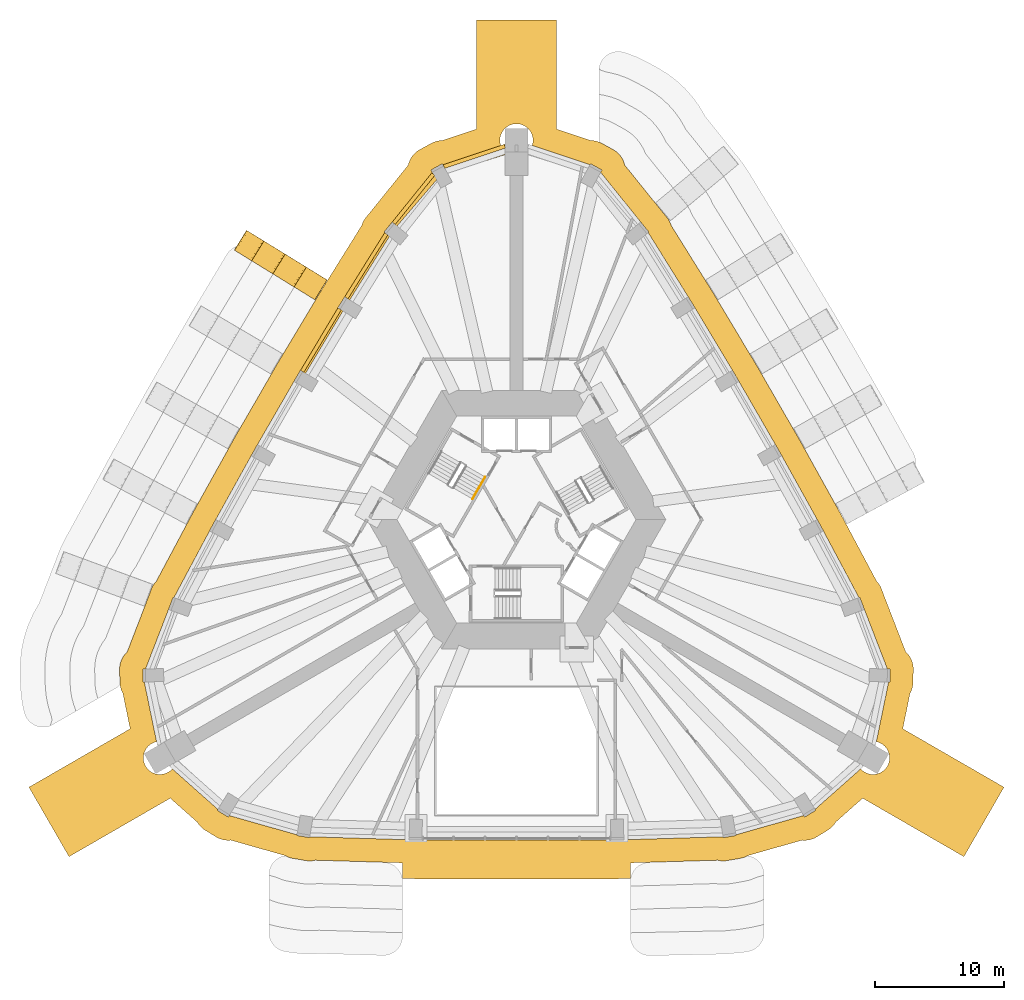
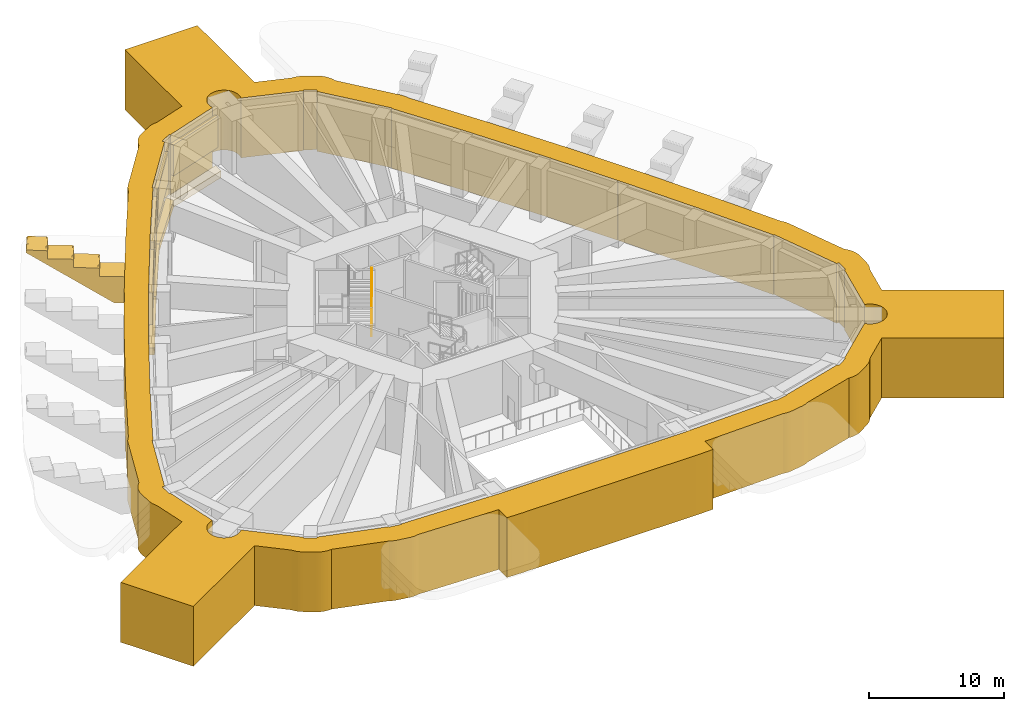
# One storey, part 14 of 16: 6 coverings, 4 shading devices, 2 railings.
"""IFC4 building model written with IfcOpenShell, lengths in metres."""

from ifc_helpers import new_model, si_unit, direction, frame, origin, origin_2d, place, context, subcontext, project, spatial, polyline, rectangle, circle, outline, extrude, material, layer, layer_set, type_object, element, save


model = new_model("IFC4")

# Units and contexts
model_context = context("Model", 3, precision=1e-05, world=origin(), true_north=direction((0.0, 1.0)))
body_context = subcontext(model_context, "Body", "Model", "MODEL_VIEW")
ifc_project = project(units=[si_unit("LENGTHUNIT", "METRE"), si_unit("AREAUNIT", "SQUARE_METRE"), si_unit("VOLUMEUNIT", "CUBIC_METRE"), si_unit("PLANEANGLEUNIT", "RADIAN"), si_unit("MASSUNIT", "GRAM", prefix="KILO")], contexts=[model_context])

# Site, building, storey
site_placement = place(None, origin())
site = spatial("IfcSite", under=ifc_project, at=site_placement, CompositionType="ELEMENT")
building_placement = place(site_placement, origin())
building = spatial("IfcBuilding", under=site, at=building_placement, Name="Entoto Arch Interchange Tower", CompositionType="ELEMENT")
storey_placement = place(building_placement, frame((0.0, 0.0, 281.0)))
storey = spatial("IfcBuildingStorey", under=building, at=storey_placement, Name="L65", CompositionType="ELEMENT", Elevation=281.0)

# Shading devices
ifc_material_1 = material(Name="Aluminium, anodised", Category="aluminium")
ifc_layer = layer(ifc_material_1, 0.300048828125)
ifc_layer_set = layer_set([ifc_layer], Name="Aluminium, anodised")
shading_device_type = type_object("IfcShadingDeviceType", Name="PLANT LOUVRE ALUMINIUM", PredefinedType="JALOUSIE", material=ifc_layer_set)
shading_device_1_placement = place(storey_placement, frame((-3.2548828125, 30.58203125, 1.2001953125), z_axis=(0.0, 0.0, 1.0), x_axis=(-0.948721643126, -0.316112707534, 0.0)))
element("IfcShadingDevice", 1, at=shading_device_1_placement, inside=storey, type_object=shading_device_type, Name="Plant louvre N-03 L65", PredefinedType="JALOUSIE", context=body_context, shape_type="SweptSolid", body=[
    extrude(rectangle(XDim=4.967041015625, YDim=0.300048828125, at=origin_2d()), origin(), (0.0, 0.0, 1.0), 2.800048828125),
])
shading_device_2_placement = place(storey_placement, frame((-7.95703125, 27.31103515625, 1.2001953125), z_axis=(0.0, 0.0, 1.0), x_axis=(-0.627664187448, -0.778484211655, 0.0)))
element("IfcShadingDevice", 2, at=shading_device_2_placement, inside=storey, type_object=shading_device_type, Name="Plant louvre N-04 L65", PredefinedType="JALOUSIE", context=body_context, shape_type="SweptSolid", body=[
    extrude(rectangle(XDim=4.8740234375, YDim=0.300048828125, at=origin_2d()), origin(), (0.0, 0.0, 1.0), 2.800048828125),
])
shading_device_3_placement = place(storey_placement, frame((-11.60693359375, 22.1220703125, 1.2001953125), z_axis=(0.0, 0.0, 1.0), x_axis=(-0.528719835335, -0.848796404165, 0.0)))
element("IfcShadingDevice", 3, at=shading_device_3_placement, inside=storey, type_object=shading_device_type, Name="Plant louvre NW-01 L65", PredefinedType="JALOUSIE", context=body_context, shape_type="SweptSolid", body=[
    extrude(rectangle(XDim=5.8330078125, YDim=0.300048828125, at=origin_2d()), origin(), (0.0, 0.0, 1.0), 2.800048828125),
])
shading_device_4_placement = place(storey_placement, frame((-15.116943359375, 16.3798828125, 1.2001953125), z_axis=(0.0, 0.0, 1.0), x_axis=(-0.514259922537, -0.857634381349, 0.0)))
element("IfcShadingDevice", 4, at=shading_device_4_placement, inside=storey, type_object=shading_device_type, Name="Plant louvre NW-02 L65", PredefinedType="JALOUSIE", context=body_context, shape_type="SweptSolid", body=[
    extrude(rectangle(XDim=5.62890625, YDim=0.300048828125, at=origin_2d()), origin(), (0.0, 0.0, 1.0), 2.800048828125),
])

# Coverings
ifc_material_2 = material(Name="Board-marked precast concrete C50/60", Category="concrete")
covering_type_1 = type_object("IfcCoveringType", Name="PRECAST FRAME COURSE", PredefinedType="CLADDING", material=ifc_material_2)
covering_1_placement = place(storey_placement, frame((-15.324951171875, 21.4619140625, -0.573974609375), z_axis=(0.525588342356, 0.850733298727, 0.003122309325), x_axis=(0.768504041486, -0.473205970996, -0.430671159046)))
element("IfcCovering", 5, at=covering_1_placement, inside=storey, type_object=covering_type_1, Name="Fold rib NW02 L65", PredefinedType="CLADDING", context=body_context, shape_type="SweptSolid", body=[
    extrude(outline(polyline([(0.0, 0.0), (0.04421633927679272, 0.0), (0.08664393673572521, -0.012401496307995207), (0.6323388862215943, -0.273886361269992), (0.6667714174383038, -0.30141099392063764), (0.6908346886655912, -0.338593322435693), (0.7035755055984723, -0.3811891178920481), (0.7038722160724928, -0.4246128261977399), (0.6905471593677632, -0.4669489818637927), (-0.2136245598848886, -2.3621779202753768), (-0.23873260492306403, -2.399161649320606), (-0.2608792461512971, -2.4183499416074317), (-0.2850450068903443, -2.4335986620412204), (-0.3274207535146515, -2.4463810852131247), (-0.3716370927914442, -2.446381085213125), (-0.41357201869113047, -2.433131478424592), (-1.9888092529242793, -1.6814359354732125), (-2.2539561869863016, -2.2363338244239688), (-2.271794791588252, -2.2600129677636125), (-2.3054449189797745, -2.2869660982616757), (-2.346867471299098, -2.3039927503566906), (-2.3908030201288355, -2.308454261029971), (-2.419822628164935, -2.3035320755703594), (-2.447269168782819, -2.2936822890664206), (-4.048518363502136, -1.5295700203336853), (-4.3144157897921716, -2.084111553034065), (-4.332254394394122, -2.1077906963737085), (-4.3659045217856445, -2.1347438268717713), (-4.406576581876954, -2.152126835217163), (-4.451262622934705, -2.1562319896400677), (-4.480282230970805, -2.1513098041804555), (-4.507165902417679, -2.141727284864299), (-6.109165589365009, -1.3772586598811873), (-6.375063015655045, -1.9318001925815667), (-6.3927139971999924, -1.9555684249838046), (-6.426551747648518, -1.9824324664192736), (-6.467036184682824, -1.999904563827259), (-6.510971733512561, -2.004366074500541), (-6.540178964605666, -1.9993547999783337), (-6.56762550522355, -1.9895050134743952), (-7.727051067610214, -1.4362323182053558), (-7.752436259611615, -1.420871031341023), (-7.782870508541981, -1.3895782977403957), (-7.803814092521863, -1.3509083600145733), (-7.811178138428663, -1.322777047141821), (-7.812576704916174, -1.2934362740587129), (-7.808236752116553, -1.2643968783089292), (-7.79801759191616, -1.2360028696225625), (-7.7828969695652805, -1.2112954748994627), (-7.763515842605009, -1.189433788951301), (-7.7404720269205285, -1.1714862600320974), (-7.713656280715033, -1.1588550848104462), (-7.684829598647157, -1.1525919667161535), (0.0, 0.0)])), origin(), (0.0, 0.0, -1.0), 1.800048828125),
])
covering_2_placement = place(storey_placement, frame((0.0, 0.0, -0.60009765625)))
element("IfcCovering", 6, at=covering_2_placement, inside=storey, type_object=covering_type_1, Name="Zone frame L65", PredefinedType="CLADDING", context=body_context, shape_type="SweptSolid", body=[
    extrude(outline(polyline([(24.678955078125, -20.875), (24.677978515625, -20.876953125), (24.5810546875, -21.02392578125), (24.470947265625, -21.162109375), (24.346923828125, -21.2880859375), (24.2109375, -21.40087890625), (24.06494140625, -21.5), (23.2119140625, -22.02197265625), (23.056884765625, -22.10595703125), (22.89404296875, -22.175048828125), (22.72509765625, -22.22802734375), (22.552978515625, -22.263916015625), (22.376953125, -22.282958984375), (22.199951171875, -22.283935546875), (22.076904296875, -22.27294921875), (17.863037109375, -23.468994140625), (17.77587890625, -23.51904296875), (17.614013671875, -23.589111328125), (17.446044921875, -23.64404296875), (17.27392578125, -23.681884765625), (16.2880859375, -23.84912109375), (16.112060546875, -23.8701171875), (15.93603515625, -23.8740234375), (15.760009765625, -23.860107421875), (15.5859375, -23.8291015625), (15.552978515625, -23.820068359375), (8.800048828125, -24.02490234375), (8.800048828125, -25.22509765625), (8.510009765625, -25.23388671875), (8.35498046875, -25.243896484375), (7.35498046875, -25.262939453125), (7.298095703125, -25.262939453125), (-7.0791015625, -25.25390625), (-7.35498046875, -25.262939453125), (-8.35498046875, -25.243896484375), (-8.510009765625, -25.23388671875), (-8.800048828125, -25.22509765625), (-8.800048828125, -24.02490234375), (-15.552978515625, -23.820068359375), (-15.5859375, -23.8291015625), (-15.760009765625, -23.860107421875), (-15.93603515625, -23.8740234375), (-16.112060546875, -23.8701171875), (-16.2880859375, -23.84912109375), (-17.27392578125, -23.681884765625), (-17.446044921875, -23.64404296875), (-17.614013671875, -23.589111328125), (-17.77587890625, -23.51904296875), (-17.863037109375, -23.468994140625), (-22.076904296875, -22.27294921875), (-22.199951171875, -22.283935546875), (-22.376953125, -22.282958984375), (-22.552978515625, -22.263916015625), (-22.72509765625, -22.22802734375), (-22.89404296875, -22.175048828125), (-23.056884765625, -22.10595703125), (-23.2119140625, -22.02197265625), (-24.06494140625, -21.5), (-24.2109375, -21.40087890625), (-24.346923828125, -21.2880859375), (-24.470947265625, -21.162109375), (-24.5810546875, -21.02392578125), (-24.677978515625, -20.876953125), (-24.678955078125, -20.875), (-26.759033203125, -19.029052734375), (-34.583984375, -23.547119140625), (-37.68408203125, -18.177001953125), (-29.85888671875, -13.659912109375), (-30.41796875, -10.93505859375), (-30.41796875, -10.93408203125), (-30.498046875, -10.77587890625), (-30.56201171875, -10.611083984375), (-30.60888671875, -10.44091796875), (-30.638916015625, -10.26708984375), (-30.652099609375, -10.091064453125), (-30.677001953125, -9.091064453125), (-30.673095703125, -8.9140625), (-30.65087890625, -8.739013671875), (-30.612060546875, -8.56689453125), (-30.556884765625, -8.39892578125), (-30.485107421875, -8.237060546875), (-30.39794921875, -8.083984375), (-30.297119140625, -7.93896484375), (-30.180908203125, -7.804931640625), (-30.087890625, -7.716064453125), (-28.39697265625, -3.3369140625), (-28.22802734375, -2.8798828125), (-28.158935546875, -2.717041015625), (-28.073974609375, -2.56201171875), (-27.97412109375, -2.4169921875), (-27.860107421875, -2.281005859375), (-27.840087890625, -2.260986328125), (-25.323974609375, 2.452880859375), (-25.306884765625, 2.489013671875), (-24.8330078125, 3.368896484375), (-24.820068359375, 3.39208984375), (-22.112060546875, 8.25390625), (-22.077880859375, 8.321044921875), (-21.5869140625, 9.19189453125), (-21.576904296875, 9.208984375), (-18.81103515625, 13.989990234375), (-18.75390625, 14.09912109375), (-18.24609375, 14.9599609375), (-18.239013671875, 14.970947265625), (-15.419921875, 19.6669921875), (-15.4189453125, 19.6669921875), (-15.333984375, 19.822021484375), (-14.80908203125, 20.672119140625), (-14.804931640625, 20.677978515625), (-11.9609375, 25.240966796875), (-11.9541015625, 25.26904296875), (-11.89306640625, 25.43505859375), (-11.81689453125, 25.593994140625), (-11.72509765625, 25.7451171875), (-11.618896484375, 25.885986328125), (-11.30810546875, 26.260986328125), (-8.361083984375, 29.9150390625), (-8.3310546875, 30.041015625), (-8.27197265625, 30.2080078125), (-8.197998046875, 30.367919921875), (-8.10888671875, 30.52001953125), (-8.00390625, 30.6630859375), (-7.886962890625, 30.794921875), (-7.757080078125, 30.9140625), (-7.615966796875, 31.02099609375), (-7.465087890625, 31.113037109375), (-6.5869140625, 31.591064453125), (-6.427978515625, 31.66796875), (-6.261962890625, 31.72802734375), (-6.091064453125, 31.77294921875), (-5.916015625, 31.800048828125), (-5.739990234375, 31.81005859375), (-5.739013671875, 31.81005859375), (-3.10009765625, 32.68896484375), (-3.10009765625, 41.1240234375), (3.10009765625, 41.1240234375), (3.10009765625, 32.68896484375), (5.739013671875, 31.81005859375), (5.739990234375, 31.81005859375), (5.916015625, 31.800048828125), (6.091064453125, 31.77294921875), (6.261962890625, 31.72802734375), (6.427978515625, 31.66796875), (6.5869140625, 31.591064453125), (7.465087890625, 31.113037109375), (7.615966796875, 31.02099609375), (7.757080078125, 30.9140625), (7.886962890625, 30.794921875), (8.00390625, 30.6630859375), (8.10888671875, 30.52001953125), (8.197998046875, 30.367919921875), (8.27197265625, 30.2080078125), (8.3310546875, 30.041015625), (8.361083984375, 29.9150390625), (11.30810546875, 26.260986328125), (11.618896484375, 25.885986328125), (11.72509765625, 25.7451171875), (11.81689453125, 25.593994140625), (11.89306640625, 25.43505859375), (11.9541015625, 25.26904296875), (11.9609375, 25.240966796875), (14.785888671875, 20.705078125), (14.80908203125, 20.672119140625), (15.333984375, 19.822021484375), (15.347900390625, 19.799072265625), (18.2041015625, 15.02294921875), (18.24609375, 14.9599609375), (18.75390625, 14.09912109375), (18.763916015625, 14.08203125), (21.52197265625, 9.294921875), (21.5869140625, 9.19189453125), (22.077880859375, 8.321044921875), (22.0849609375, 8.31005859375), (24.740966796875, 3.52099609375), (24.741943359375, 3.52099609375), (24.8330078125, 3.368896484375), (25.306884765625, 2.489013671875), (25.31005859375, 2.48291015625), (27.840087890625, -2.260986328125), (27.860107421875, -2.281005859375), (27.97412109375, -2.4169921875), (28.073974609375, -2.56201171875), (28.158935546875, -2.717041015625), (28.22802734375, -2.8798828125), (28.39697265625, -3.3369140625), (30.087890625, -7.716064453125), (30.180908203125, -7.804931640625), (30.297119140625, -7.93896484375), (30.39794921875, -8.083984375), (30.485107421875, -8.237060546875), (30.556884765625, -8.39892578125), (30.612060546875, -8.56689453125), (30.65087890625, -8.739013671875), (30.673095703125, -8.9140625), (30.677001953125, -9.091064453125), (30.652099609375, -10.091064453125), (30.638916015625, -10.26708984375), (30.60888671875, -10.44091796875), (30.56201171875, -10.611083984375), (30.498046875, -10.77587890625), (30.41796875, -10.93408203125), (30.41796875, -10.93505859375), (29.85888671875, -13.659912109375), (37.68408203125, -18.177001953125), (34.583984375, -23.547119140625), (26.759033203125, -19.029052734375), (24.678955078125, -20.875)]), holes=[polyline([(28.762939453125, -10.0439453125), (28.85302734375, -10.0458984375), (28.864990234375, -9.5458984375), (28.876953125, -9.0458984375), (28.68310546875, -9.041015625), (28.656005859375, -9.0048828125), (26.712890625, -3.972900390625), (26.5400390625, -3.50390625), (26.47509765625, -3.528076171875), (23.719970703125, 1.635009765625), (23.721923828125, 1.635986328125), (23.485107421875, 2.075927734375), (23.248046875, 2.51611328125), (23.241943359375, 2.512939453125), (20.508056640625, 7.43505859375), (20.510986328125, 7.43701171875), (20.264892578125, 7.8720703125), (20.01904296875, 8.306884765625), (20.014892578125, 8.304931640625), (17.199951171875, 13.180908203125), (17.2041015625, 13.18310546875), (16.949951171875, 13.614013671875), (16.696044921875, 14.044921875), (16.693115234375, 14.04296875), (13.797119140625, 18.8720703125), (13.802978515625, 18.8759765625), (13.5400390625, 19.301025390625), (13.277099609375, 19.72607421875), (13.27587890625, 19.72509765625), (10.181884765625, 24.693115234375), (10.23388671875, 24.736083984375), (9.9150390625, 25.12109375), (6.531005859375, 29.31689453125), (6.510986328125, 29.360107421875), (6.60400390625, 29.531982421875), (6.1650390625, 29.77099609375), (5.72607421875, 30.010009765625), (5.68310546875, 29.930908203125), (1.2109375, 31.4208984375), (1.222900390625, 31.452880859375), (1.2529296875, 31.574951171875), (1.27197265625, 31.698974609375), (1.278076171875, 31.823974609375), (1.27197265625, 31.948974609375), (1.2529296875, 32.072998046875), (1.222900390625, 32.195068359375), (1.180908203125, 32.31298828125), (1.126953125, 32.426025390625), (1.06201171875, 32.533935546875), (0.988037109375, 32.635009765625), (0.904052734375, 32.72802734375), (0.81103515625, 32.81201171875), (0.7099609375, 32.885986328125), (0.60205078125, 32.950927734375), (0.489013671875, 33.0048828125), (0.37109375, 33.047119140625), (0.2490234375, 33.076904296875), (0.125, 33.095947265625), (0.0, 33.10205078125), (-0.125, 33.095947265625), (-0.2490234375, 33.076904296875), (-0.37109375, 33.047119140625), (-0.489013671875, 33.0048828125), (-0.60205078125, 32.950927734375), (-0.7099609375, 32.885986328125), (-0.81103515625, 32.81201171875), (-0.904052734375, 32.72802734375), (-0.988037109375, 32.635009765625), (-1.06201171875, 32.533935546875), (-1.126953125, 32.426025390625), (-1.180908203125, 32.31298828125), (-1.222900390625, 32.195068359375), (-1.2529296875, 32.072998046875), (-1.27197265625, 31.948974609375), (-1.278076171875, 31.823974609375), (-1.27197265625, 31.698974609375), (-1.2529296875, 31.574951171875), (-1.222900390625, 31.452880859375), (-1.2109375, 31.4208984375), (-5.68310546875, 29.930908203125), (-5.72607421875, 30.010009765625), (-6.1650390625, 29.77099609375), (-6.60400390625, 29.531982421875), (-6.510986328125, 29.360107421875), (-6.531005859375, 29.31689453125), (-9.9150390625, 25.12109375), (-10.23388671875, 24.736083984375), (-10.181884765625, 24.693115234375), (-13.27587890625, 19.72509765625), (-13.277099609375, 19.72607421875), (-13.5400390625, 19.301025390625), (-13.802978515625, 18.8759765625), (-13.797119140625, 18.8720703125), (-16.693115234375, 14.04296875), (-16.696044921875, 14.044921875), (-16.949951171875, 13.614013671875), (-17.2041015625, 13.18310546875), (-17.199951171875, 13.180908203125), (-20.014892578125, 8.304931640625), (-20.01904296875, 8.306884765625), (-20.264892578125, 7.8720703125), (-20.510986328125, 7.43701171875), (-20.508056640625, 7.43505859375), (-23.241943359375, 2.512939453125), (-23.248046875, 2.51611328125), (-23.485107421875, 2.075927734375), (-23.721923828125, 1.635986328125), (-23.719970703125, 1.635009765625), (-26.47509765625, -3.528076171875), (-26.5400390625, -3.50390625), (-26.712890625, -3.972900390625), (-28.656005859375, -9.0048828125), (-28.68310546875, -9.041015625), (-28.876953125, -9.0458984375), (-28.864990234375, -9.5458984375), (-28.85302734375, -10.0458984375), (-28.762939453125, -10.0439453125), (-27.81689453125, -14.660888671875), (-27.930908203125, -14.68896484375), (-28.049072265625, -14.73095703125), (-28.162109375, -14.784912109375), (-28.27001953125, -14.85009765625), (-28.37109375, -14.924072265625), (-28.464111328125, -15.008056640625), (-28.548095703125, -15.10107421875), (-28.6220703125, -15.201904296875), (-28.68701171875, -15.31005859375), (-28.740966796875, -15.423095703125), (-28.782958984375, -15.541015625), (-28.81298828125, -15.6630859375), (-28.83203125, -15.787109375), (-28.837890625, -15.912109375), (-28.83203125, -16.037109375), (-28.81298828125, -16.160888671875), (-28.782958984375, -16.282958984375), (-28.740966796875, -16.40087890625), (-28.68701171875, -16.513916015625), (-28.6220703125, -16.6220703125), (-28.548095703125, -16.722900390625), (-28.464111328125, -16.81591796875), (-28.37109375, -16.89990234375), (-28.27001953125, -16.97412109375), (-28.162109375, -17.0390625), (-28.049072265625, -17.093017578125), (-27.930908203125, -17.135009765625), (-27.80908203125, -17.1650390625), (-27.68505859375, -17.18408203125), (-27.56005859375, -17.18994140625), (-27.43505859375, -17.18408203125), (-27.31103515625, -17.1650390625), (-27.18896484375, -17.135009765625), (-27.071044921875, -17.093017578125), (-26.9580078125, -17.0390625), (-26.85009765625, -16.97412109375), (-26.7490234375, -16.89990234375), (-26.656005859375, -16.81591796875), (-26.60498046875, -16.759033203125), (-23.080078125, -19.887939453125), (-23.126953125, -19.964111328125), (-22.699951171875, -20.22509765625), (-22.27294921875, -20.486083984375), (-22.200927734375, -20.366943359375), (-16.964111328125, -21.85400390625), (-16.972900390625, -21.906982421875), (-15.987060546875, -22.074951171875), (-15.97509765625, -22.006103515625), (-8.300048828125, -22.239013671875), (-8.300048828125, -22.2451171875), (-7.300048828125, -22.262939453125), (-7.300048828125, -22.25390625), (7.300048828125, -22.25390625), (7.300048828125, -22.262939453125), (8.300048828125, -22.2451171875), (8.300048828125, -22.239013671875), (15.97509765625, -22.006103515625), (15.987060546875, -22.074951171875), (16.972900390625, -21.906982421875), (16.964111328125, -21.85400390625), (22.200927734375, -20.366943359375), (22.27294921875, -20.486083984375), (22.699951171875, -20.22509765625), (23.126953125, -19.964111328125), (23.080078125, -19.887939453125), (26.60498046875, -16.759033203125), (26.656005859375, -16.81591796875), (26.7490234375, -16.89990234375), (26.85009765625, -16.97412109375), (26.9580078125, -17.0390625), (27.071044921875, -17.093017578125), (27.18896484375, -17.135009765625), (27.31103515625, -17.1650390625), (27.43505859375, -17.18408203125), (27.56005859375, -17.18994140625), (27.68505859375, -17.18408203125), (27.80908203125, -17.1650390625), (27.930908203125, -17.135009765625), (28.049072265625, -17.093017578125), (28.162109375, -17.0390625), (28.27001953125, -16.97412109375), (28.37109375, -16.89990234375), (28.464111328125, -16.81591796875), (28.548095703125, -16.722900390625), (28.6220703125, -16.6220703125), (28.68701171875, -16.513916015625), (28.740966796875, -16.40087890625), (28.782958984375, -16.282958984375), (28.81298828125, -16.160888671875), (28.83203125, -16.037109375), (28.837890625, -15.912109375), (28.83203125, -15.787109375), (28.81298828125, -15.6630859375), (28.782958984375, -15.541015625), (28.740966796875, -15.423095703125), (28.68701171875, -15.31005859375), (28.6220703125, -15.201904296875), (28.548095703125, -15.10107421875), (28.464111328125, -15.008056640625), (28.37109375, -14.924072265625), (28.27001953125, -14.85009765625), (28.162109375, -14.784912109375), (28.049072265625, -14.73095703125), (27.930908203125, -14.68896484375), (27.81689453125, -14.660888671875), (28.762939453125, -10.0439453125)])]), origin(), (0.0, 0.0, 1.0), 5.400146484375),
])
covering_type_2 = type_object("IfcCoveringType", Name="PRECAST LEDGE COURSE", PredefinedType="CLADDING", material=ifc_material_2)
covering_3_placement = place(storey_placement, frame((0.0, 0.0, -1.199951171875)))
element("IfcCovering", 7, at=covering_3_placement, inside=storey, type_object=covering_type_2, Name="Precast course N-03 L65", PredefinedType="CLADDING", context=body_context, shape_type="SweptSolid", body=[
    extrude(outline(polyline([(-5.833984375, 29.1640625), (-6.1650390625, 29.77099609375), (-0.89990234375, 31.52392578125), (-0.89990234375, 30.70703125), (-5.833984375, 29.1640625)])), origin(), (0.0, 0.0, 1.0), 0.599853515625),
])
covering_4_placement = place(storey_placement, frame((0.0, 0.0, -1.199951171875)))
element("IfcCovering", 8, at=covering_4_placement, inside=storey, type_object=covering_type_2, Name="Precast course N-04 L65", PredefinedType="CLADDING", context=body_context, shape_type="SweptSolid", body=[
    extrude(outline(polyline([(-9.553955078125, 24.821044921875), (-9.9150390625, 25.12109375), (-6.1650390625, 29.77099609375), (-5.833984375, 29.1640625), (-9.553955078125, 24.821044921875)])), origin(), (0.0, 0.0, 1.0), 0.599853515625),
])
covering_5_placement = place(storey_placement, frame((0.0, 0.0, -1.199951171875)))
element("IfcCovering", 9, at=covering_5_placement, inside=storey, type_object=covering_type_2, Name="Precast course NW-01 L65", PredefinedType="CLADDING", context=body_context, shape_type="SweptSolid", body=[
    extrude(outline(polyline([(-13.153076171875, 19.06103515625), (-13.5400390625, 19.301025390625), (-9.9150390625, 25.12109375), (-9.553955078125, 24.821044921875), (-13.153076171875, 19.06103515625)])), origin(), (0.0, 0.0, 1.0), 0.599853515625),
])
covering_6_placement = place(storey_placement, frame((0.0, 0.0, -1.199951171875)))
element("IfcCovering", 10, at=covering_6_placement, inside=storey, type_object=covering_type_2, Name="Precast course NW-02 L65", PredefinedType="CLADDING", context=body_context, shape_type="SweptSolid", body=[
    extrude(outline(polyline([(-16.56201171875, 13.385009765625), (-16.949951171875, 13.614013671875), (-13.5400390625, 19.301025390625), (-13.153076171875, 19.06103515625), (-16.56201171875, 13.385009765625)])), origin(), (0.0, 0.0, 1.0), 0.599853515625),
])

# Railings
ifc_material_3 = material(Name="Stainless steel 1.4301", Category="steel")
railing_type = type_object("IfcRailingType", Name="STAIR HANDRAIL 900 STEEL", PredefinedType="HANDRAIL", material=ifc_material_3)
for number, where, name in (
    (11, (-3.402587890625, 4.1064453125, 1.518798828125), "L65 ST-NW stair handrail 2"),
    (12, (-3.402587890625, 4.1064453125, 4.21875), "L65 ST-NW stair handrail 4"),
):
    element("IfcRailing", number, at=place(storey_placement, frame(where)), inside=storey, type_object=railing_type, Name=name, PredefinedType="HANDRAIL", context=body_context, shape_type="SweptSolid", body=[
        extrude(circle(Radius=0.02392578125, at=origin_2d()), frame((0.0, 0.0, 0.8759765625), z_axis=(0.428228158944, 0.741771397394, 0.516135484049), x_axis=(-0.866042469362, 0.499970440388, 0.0)), (0.0, 0.0, 1.0), 2.28857421875),
        extrude(circle(Radius=0.02099609375, at=origin_2d()), origin(), (0.0, 0.0, 1.0), 0.851806640625),
        extrude(circle(Radius=0.02099609375, at=origin_2d()), frame((0.489990234375, 0.8486328125, 0.590576171875)), (0.0, 0.0, 1.0), 0.851806640625),
        extrude(circle(Radius=0.02099609375, at=origin_2d()), frame((0.97998046875, 1.697509765625, 1.18115234375)), (0.0, 0.0, 1.0), 0.851806640625),
    ])

save(model, "model.ifc")
